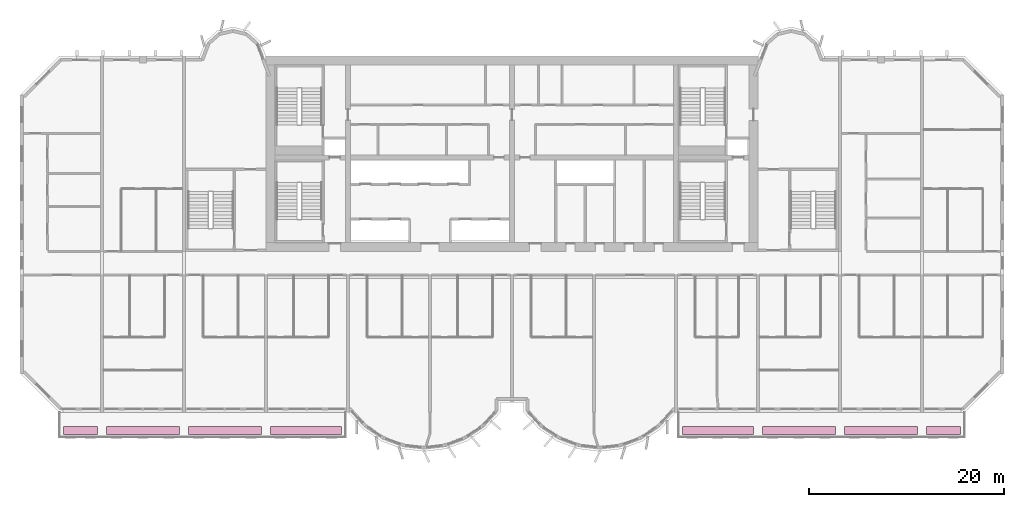
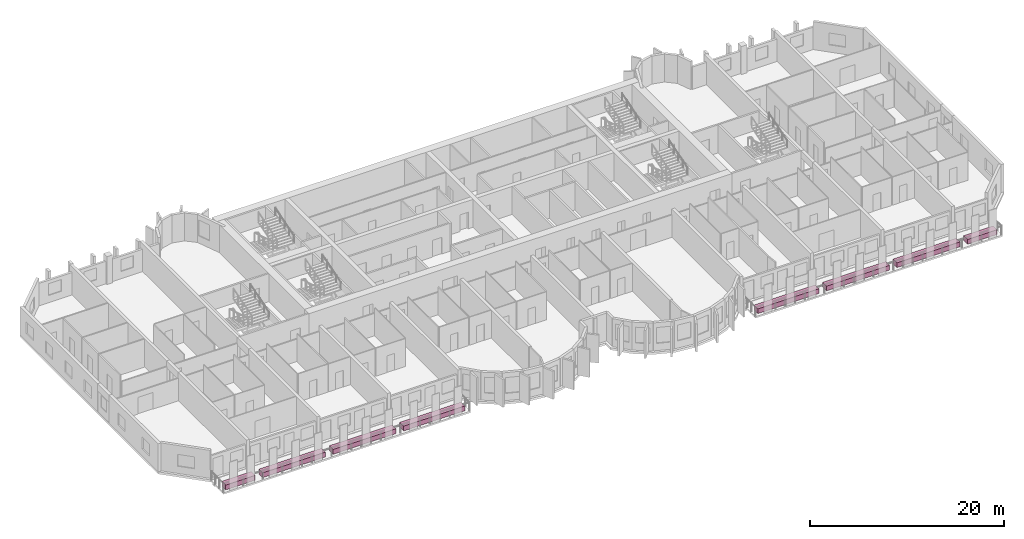
# One storey, part 14 of 14: 8 furniture elements.
"""IFC4 building model written with IfcOpenShell, lengths in metres."""

from ifc_helpers import new_model, si_unit, direction, frame, origin, origin_2d, place, context, subcontext, project, spatial, rectangle, extrude, source, transform, mapped, material, type_object, element, save


model = new_model("IFC4")

# Units and contexts
model_context = context("Model", 3, precision=1e-05, world=origin(), true_north=direction((0.0, 1.0)))
body_context = subcontext(model_context, "Body", "Model", "MODEL_VIEW")
ifc_project = project(units=[si_unit("LENGTHUNIT", "METRE"), si_unit("AREAUNIT", "SQUARE_METRE"), si_unit("VOLUMEUNIT", "CUBIC_METRE"), si_unit("PLANEANGLEUNIT", "RADIAN"), si_unit("MASSUNIT", "GRAM", prefix="KILO")], contexts=[model_context])

# Site, building, storey
site_placement = place(None, origin())
site = spatial("IfcSite", under=ifc_project, at=site_placement, CompositionType="ELEMENT")
building_placement = place(site_placement, origin())
building = spatial("IfcBuilding", under=site, at=building_placement, Name="Vanashikhar Sky Hotel", CompositionType="ELEMENT")
storey_placement = place(building_placement, frame((0.0, 0.0, 114.199951171875)))
storey = spatial("IfcBuildingStorey", under=building, at=storey_placement, Name="L27", CompositionType="ELEMENT", Elevation=114.199951171875)

# Furniture
ifc_material = material(Name="Planting soil and shrubs")
furniture_type = type_object("IfcFurnitureType", Name="Planter trough", AssemblyPlace="NOTDEFINED", PredefinedType="USERDEFINED", material=ifc_material)
shared_shape_1 = source(origin(), body_context, "Body", "SweptSolid", [
    extrude(rectangle(XDim=3.5, YDim=0.800048828125, at=origin_2d()), origin(), (0.0, 0.0, 1.0), 0.60009765625),
])
for number, where, z_axis, x_axis, name in (
    (1, (6.199951171875, 3.64990234375, -0.050048828125), (0.0, 0.0, 1.0), (1.0, 0.0, 0.0), "PLANTER with climbers"),
    (2, (94.60009765625, 3.64990234375, -0.050048828125), (0.0, 0.0, 1.0), (1.0, 0.0, 0.0), "PLANTER with climbers"),
):
    element("IfcFurniture", number, at=place(storey_placement, frame(where, z_axis=z_axis, x_axis=x_axis)), inside=storey, type_object=furniture_type, Name=name, ObjectType="PLANTER", PredefinedType="USERDEFINED", context=body_context, shape_type="MappedRepresentation", body=[
        mapped(shared_shape_1, transform((0.0, 0.0, 0.0), scale=1.0)),
    ])
shared_shape_2 = source(origin(), body_context, "Body", "SweptSolid", [
    extrude(rectangle(XDim=7.5, YDim=0.800048828125, at=origin_2d()), origin(), (0.0, 0.0, 1.0), 0.60009765625),
])
for number, where, z_axis, x_axis, name in (
    (3, (12.60009765625, 3.64990234375, -0.050048828125), (0.0, 0.0, 1.0), (1.0, 0.0, 0.0), "PLANTER with climbers"),
    (4, (21.0, 3.64990234375, -0.050048828125), (0.0, 0.0, 1.0), (1.0, 0.0, 0.0), "PLANTER with climbers"),
    (5, (79.800048828125, 3.64990234375, -0.050048828125), (0.0, 0.0, 1.0), (1.0, 0.0, 0.0), "PLANTER with climbers"),
    (6, (88.199951171875, 3.64990234375, -0.050048828125), (0.0, 0.0, 1.0), (1.0, 0.0, 0.0), "PLANTER with climbers"),
):
    element("IfcFurniture", number, at=place(storey_placement, frame(where, z_axis=z_axis, x_axis=x_axis)), inside=storey, type_object=furniture_type, Name=name, ObjectType="PLANTER", PredefinedType="USERDEFINED", context=body_context, shape_type="MappedRepresentation", body=[
        mapped(shared_shape_2, transform((0.0, 0.0, 0.0), scale=1.0)),
    ])
shared_shape_3 = source(origin(), body_context, "Body", "SweptSolid", [
    extrude(rectangle(XDim=7.300048828125, YDim=0.800048828125, at=origin_2d()), origin(), (0.0, 0.0, 1.0), 0.60009765625),
])
for number, where, z_axis, x_axis, name in (
    (7, (29.300048828125, 3.64990234375, -0.050048828125), (0.0, 0.0, 1.0), (1.0, 0.0, 0.0), "PLANTER with climbers"),
    (8, (71.5, 3.64990234375, -0.050048828125), (0.0, 0.0, 1.0), (1.0, 0.0, 0.0), "PLANTER with climbers"),
):
    element("IfcFurniture", number, at=place(storey_placement, frame(where, z_axis=z_axis, x_axis=x_axis)), inside=storey, type_object=furniture_type, Name=name, ObjectType="PLANTER", PredefinedType="USERDEFINED", context=body_context, shape_type="MappedRepresentation", body=[
        mapped(shared_shape_3, transform((0.0, 0.0, 0.0), scale=1.0)),
    ])

save(model, "model.ifc")
